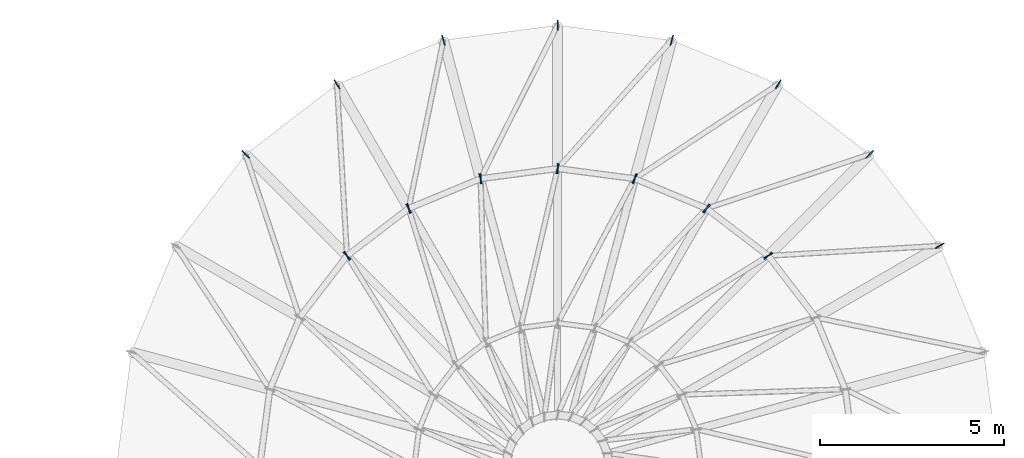
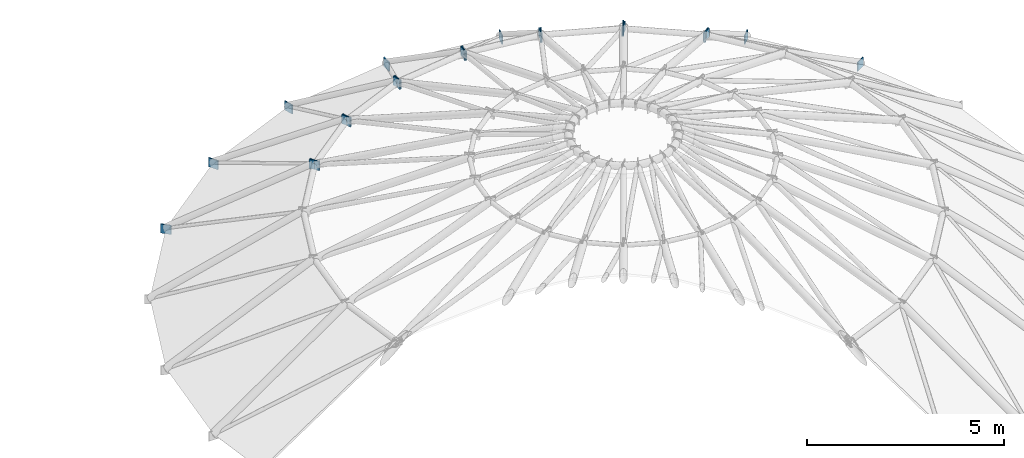
# One storey, part 28 of 32: 22 discrete accessories.
"""IFC4 building model written with IfcOpenShell, lengths in metres."""

import ifcopenshell
import ifcopenshell.guid

model = None  # the IFC model being written
_history = None  # IfcOwnerHistory: only IFC2X3 demands one
_inside = {}  # id of a spatial element -> (the spatial element, [elements in it])
_under = {}  # id of a project, library or spatial element -> (it, [spatial elements below it])
_declared = {}  # id of a project -> (the project, [libraries it declares])
_typed = {}  # id of a type object -> (the type object, [elements of that type])
_made_of = {}  # id of a material, layer set ... -> (it, [elements and type objects made of it])


def new_model(schema):
    """Start an empty IFC model of exactly this schema.

    Asked for "IFC4X3", IfcOpenShell would pick the latest addendum, in which some entities
    have other attributes; the version numbers below select the first issue.
    IFC2X3 requires an IfcOwnerHistory on every rooted entity: one is made here for all.
    """
    global model, _history
    if schema == "IFC4X3":
        model = ifcopenshell.file(schema_version=(4, 3, 0, 0))
    else:
        model = ifcopenshell.file(schema=schema)
    _inside.clear()
    _under.clear()
    _declared.clear()
    _typed.clear()
    _made_of.clear()
    _history = None
    if model.schema == "IFC2X3":
        org = make("IfcOrganization", Name="unknown")
        user = make(
            "IfcPersonAndOrganization",
            ThePerson=make("IfcPerson", FamilyName="unknown"),
            TheOrganization=org,
        )
        app = make(
            "IfcApplication",
            ApplicationDeveloper=org,
            Version="unknown",
            ApplicationFullName="unknown",
            ApplicationIdentifier="unknown",
        )
        _history = make(
            "IfcOwnerHistory",
            OwningUser=user,
            OwningApplication=app,
            ChangeAction="ADDED",
            CreationDate=0,
        )
    return model


def make(cls, **values):
    """One entity of the class cls with the attributes given. An attribute that is None is left unset."""
    return model.create_entity(
        cls, **{name: value for name, value in values.items() if value is not None}
    )


def rooted(cls, **values):
    """An entity with a GlobalId (a new one), such as an element, a storey or a relation."""
    return make(cls, GlobalId=ifcopenshell.guid.new(), OwnerHistory=_history, **values)


def si_unit(unit_type, name, prefix=None):
    """IfcSIUnit, for example si_unit("LENGTHUNIT", "METRE", prefix="MILLI")."""
    return make("IfcSIUnit", UnitType=unit_type, Prefix=prefix, Name=name)


def assignment(units):
    """IfcUnitAssignment: the units of a project."""
    return None if units is None else make("IfcUnitAssignment", Units=units)


def point(xyz):
    """IfcCartesianPoint."""
    return None if xyz is None else make("IfcCartesianPoint", Coordinates=xyz)


def direction(xyz):
    """IfcDirection."""
    return None if xyz is None else make("IfcDirection", DirectionRatios=xyz)


def frame(location, z_axis=None, x_axis=None):
    """IfcAxis2Placement3D, a coordinate frame: its origin and axes. An axis left out is left unset."""
    return make(
        "IfcAxis2Placement3D",
        Location=point(location),
        Axis=direction(z_axis),
        RefDirection=direction(x_axis),
    )


def frame_2d(location, x_axis=None):
    """IfcAxis2Placement2D, a coordinate frame in the plane: its origin and x axis."""
    return make(
        "IfcAxis2Placement2D", Location=point(location), RefDirection=direction(x_axis)
    )


def origin():
    """The frame at (0, 0, 0) with its axes left unset."""
    return frame((0.0, 0.0, 0.0))


def origin_2d():
    """The frame at (0, 0) in the plane with its x axis left unset."""
    return frame_2d((0.0, 0.0))


def place(relative_to, where):
    """IfcLocalPlacement: puts the frame where relative to a parent placement (None: the world)."""
    return make(
        "IfcLocalPlacement", PlacementRelTo=relative_to, RelativePlacement=where
    )


def context(
    kind, dimensions, precision=None, world=None, true_north=None, identifier=None
):
    """IfcGeometricRepresentationContext, for example the 3D "Model" context."""
    return make(
        "IfcGeometricRepresentationContext",
        ContextIdentifier=identifier,
        ContextType=kind,
        CoordinateSpaceDimension=dimensions,
        Precision=precision,
        WorldCoordinateSystem=world,
        TrueNorth=true_north,
    )


def subcontext(parent, identifier, kind, view, scale=None):
    """IfcGeometricRepresentationSubContext, for example "Body" below "Model"."""
    return make(
        "IfcGeometricRepresentationSubContext",
        ContextIdentifier=identifier,
        ContextType=kind,
        ParentContext=parent,
        TargetScale=scale,
        TargetView=view,
    )


def project(units=None, contexts=None):
    """IfcProject with its units and contexts."""
    return rooted(
        "IfcProject",
        Name="project",
        RepresentationContexts=contexts,
        UnitsInContext=assignment(units),
    )


def spatial(cls, under=None, at=None, **own):
    """A site, building, storey or space (cls), placed at a placement, below another one or the project."""
    s = rooted(cls, ObjectPlacement=at, **own)
    if under is not None:
        _under.setdefault(under.id(), (under, []))[1].append(s)
    return s


def profile(cls, at=None, kind="AREA", **sizes):
    """A parametric profile (cls). Its sizes go by their IFC names, for example OverallWidth=200.0."""
    return make(cls, ProfileType=kind, Position=at, **sizes)


def rectangle(**sizes):
    """IfcRectangleProfileDef."""
    return profile("IfcRectangleProfileDef", **sizes)


def extrude(swept, where, along, depth):
    """IfcExtrudedAreaSolid: the profile swept, set in the frame where, extruded along a direction by depth."""
    return make(
        "IfcExtrudedAreaSolid",
        SweptArea=swept,
        Position=where,
        ExtrudedDirection=direction(along),
        Depth=depth,
    )


def shape(context_of_items, identifier, shape_type, items):
    """IfcShapeRepresentation: the items that make up one representation, for example the "Body"."""
    return make(
        "IfcShapeRepresentation",
        ContextOfItems=context_of_items,
        RepresentationIdentifier=identifier,
        RepresentationType=shape_type,
        Items=items,
    )


def material(Name=None, Category=None):
    """IfcMaterial."""
    return make("IfcMaterial", Name=Name, Category=Category)


def made_of(thing, what):
    """Note that an element or type object is made of a material, layer set ...; save() writes the relation."""
    if what is not None:
        _made_of.setdefault(what.id(), (what, []))[1].append(thing)
    return thing


def type_object(cls, material=None, **own):
    """A type object (cls), such as IfcWallType, which elements share."""
    return made_of(rooted(cls, **own), material)


def element(
    cls,
    number,
    at=None,
    inside=None,
    cuts=None,
    type_object=None,
    material=None,
    context=None,
    identifier="Body",
    shape_type=None,
    held_by="IfcProductDefinitionShape",
    body=None,
    shapes=None,
    **own,
):
    """One element of the class cls, such as IfcWall. Its Tag is "e" and its number.

    at: its placement. inside: the storey or other place that contains it. cuts: it is an
    opening in that element (IfcRelVoidsElement). A single representation is given by context,
    identifier, shape_type and body (its items); several are given by shapes. held_by: the class
    of the entity that holds the representations. save() writes the other relations.
    """
    e = rooted(cls, Tag="e%d" % number, ObjectPlacement=at, **own)
    if body is not None:
        shapes = [shape(context, identifier, shape_type, body)]
    if shapes is not None:
        e.Representation = make(held_by, Representations=shapes)
    if inside is not None:
        _inside.setdefault(inside.id(), (inside, []))[1].append(e)
    if cuts is not None:
        rooted(
            "IfcRelVoidsElement", RelatingBuildingElement=cuts, RelatedOpeningElement=e
        )
    if type_object is not None:
        _typed.setdefault(type_object.id(), (type_object, []))[1].append(e)
    return made_of(e, material)


def aggregate(whole, parts):
    """IfcRelAggregates: a whole, such as a stair, and the parts it consists of."""
    return rooted("IfcRelAggregates", RelatingObject=whole, RelatedObjects=parts)


def save(model, path):
    """Write the relations noted so far, then the file.

    IfcRelAggregates (storeys below a building ...), IfcRelContainedInSpatialStructure (elements
    in a storey), IfcRelDefinesByType, IfcRelAssociatesMaterial and IfcRelDeclares: one each for
    every whole, place, type object, material and project.
    """
    for whole, parts in _under.values():
        aggregate(whole, parts)
    for where, things in _inside.values():
        rooted(
            "IfcRelContainedInSpatialStructure",
            RelatedElements=things,
            RelatingStructure=where,
        )
    for kind, things in _typed.values():
        rooted("IfcRelDefinesByType", RelatedObjects=things, RelatingType=kind)
    for what, things in _made_of.values():
        rooted("IfcRelAssociatesMaterial", RelatedObjects=things, RelatingMaterial=what)
    for by, libraries in _declared.values():
        rooted("IfcRelDeclares", RelatingContext=by, RelatedDefinitions=libraries)
    model.write(path)


model = new_model("IFC4")

# Units and contexts
model_context = context("Model", 3, precision=1e-05, world=origin(), true_north=direction((0.0, 1.0)))
body_context = subcontext(model_context, "Body", "Model", "MODEL_VIEW")
ifc_project = project(units=[si_unit("LENGTHUNIT", "METRE"), si_unit("AREAUNIT", "SQUARE_METRE"), si_unit("VOLUMEUNIT", "CUBIC_METRE"), si_unit("PLANEANGLEUNIT", "RADIAN"), si_unit("MASSUNIT", "GRAM", prefix="KILO")], contexts=[model_context])

# Site, building, storey
site_placement = place(None, origin())
site = spatial("IfcSite", under=ifc_project, at=site_placement, CompositionType="ELEMENT")
building_placement = place(site_placement, origin())
building = spatial("IfcBuilding", under=site, at=building_placement, Name="Kandorven Conservatory and Botanical Research Centre", CompositionType="ELEMENT")
storey_placement = place(building_placement, frame((0.0, 0.0, 17.10009765625)))
storey = spatial("IfcBuildingStorey", under=building, at=storey_placement, Name="L04", CompositionType="ELEMENT", Elevation=17.10009765625)

# Discrete accessories
ifc_material = material(Name="Steel S355 (IS 2062 E350)", Category="steel")
discrete_accessory_type = type_object("IfcDiscreteAccessoryType", Name="BraceGussetPlate", PredefinedType="BRACKET", material=ifc_material)
for number, where, z_axis, x_axis, name in (
    (1, (97.9921875, 53.800048828125, 0.4599609375), (0.0, 0.0, 1.0), (0.866025403784, 0.5, 0.0), "Conservatory dome node gusset plate T3-S03-A"),
    (2, (93.32763671875, 53.527587890625, 3.15966796875), (0.0, 0.0, 1.0), (0.866025403784, 0.5, 0.0), "Conservatory dome node gusset plate T3-S03-B"),
    (3, (96.085205078125, 56.285400390625, 0.4599609375), (0.0, 0.0, 1.0), (0.707106781187, 0.707106781187, 0.0), "Conservatory dome node gusset plate T3-S04-A"),
    (4, (91.64990234375, 54.814697265625, 3.15966796875), (0.0, 0.0, 1.0), (0.707106781187, 0.707106781187, 0.0), "Conservatory dome node gusset plate T3-S04-B"),
    (5, (93.60009765625, 58.1923828125, 0.4599609375), (0.0, 0.0, 1.0), (0.5, 0.866025403784, 0.0), "Conservatory dome node gusset plate T3-S05-A"),
    (6, (89.6962890625, 55.6240234375, 3.15966796875), (0.0, 0.0, 1.0), (0.5, 0.866025403784, 0.0), "Conservatory dome node gusset plate T3-S05-B"),
    (7, (90.705810546875, 59.39111328125, 0.4599609375), (0.0, 0.0, 1.0), (0.258819045103, 0.965925826289, 0.0), "Conservatory dome node gusset plate T3-S06-A"),
    (8, (87.60009765625, 55.89990234375, 3.15966796875), (0.0, 0.0, 1.0), (0.258819045103, 0.965925826289, 0.0), "Conservatory dome node gusset plate T3-S06-B"),
    (9, (87.60009765625, 59.800048828125, 0.4599609375), (0.0, 0.0, 1.0), (0.0, 1.0, 0.0), "Conservatory dome node gusset plate T3-S07-A"),
    (10, (85.503662109375, 55.6240234375, 3.15966796875), (0.0, 0.0, 1.0), (0.0, 1.0, 0.0), "Conservatory dome node gusset plate T3-S07-B"),
    (11, (84.494140625, 59.39111328125, 0.4599609375), (0.0, 0.0, 1.0), (-0.258819045103, 0.965925826289, 0.0), "Conservatory dome node gusset plate T3-S08-A"),
    (12, (83.550048828125, 54.814697265625, 3.15966796875), (0.0, 0.0, 1.0), (-0.258819045103, 0.965925826289, 0.0), "Conservatory dome node gusset plate T3-S08-B"),
    (13, (81.60009765625, 58.1923828125, 0.4599609375), (0.0, 0.0, 1.0), (-0.5, 0.866025403784, 0.0), "Conservatory dome node gusset plate T3-S09-A"),
    (14, (81.872314453125, 53.527587890625, 3.15966796875), (0.0, 0.0, 1.0), (-0.5, 0.866025403784, 0.0), "Conservatory dome node gusset plate T3-S09-B"),
    (15, (79.11474609375, 56.285400390625, 0.4599609375), (0.0, 0.0, 1.0), (-0.707106781187, 0.707106781187, 0.0), "Conservatory dome node gusset plate T3-S10-A"),
    (16, (93.32763671875, 53.527587890625, 3.15966796875), (0.0, 0.0, 1.0), (0.707106781187, 0.707106781187, 0.0), "Conservatory dome node gusset plate T4-S04-A"),
    (17, (91.64990234375, 54.814697265625, 3.15966796875), (0.0, 0.0, 1.0), (0.5, 0.866025403784, 0.0), "Conservatory dome node gusset plate T4-S05-A"),
    (18, (89.6962890625, 55.6240234375, 3.15966796875), (0.0, 0.0, 1.0), (0.258819045103, 0.965925826289, 0.0), "Conservatory dome node gusset plate T4-S06-A"),
    (19, (87.60009765625, 55.89990234375, 3.15966796875), (0.0, 0.0, 1.0), (0.0, 1.0, 0.0), "Conservatory dome node gusset plate T4-S07-A"),
    (20, (85.503662109375, 55.6240234375, 3.15966796875), (0.0, 0.0, 1.0), (-0.258819045103, 0.965925826289, 0.0), "Conservatory dome node gusset plate T4-S08-A"),
    (21, (83.550048828125, 54.814697265625, 3.15966796875), (0.0, 0.0, 1.0), (-0.5, 0.866025403784, 0.0), "Conservatory dome node gusset plate T4-S09-A"),
    (22, (81.872314453125, 53.527587890625, 3.15966796875), (0.0, 0.0, 1.0), (-0.707106781187, 0.707106781187, 0.0), "Conservatory dome node gusset plate T4-S10-A"),
):
    element("IfcDiscreteAccessory", number, at=place(storey_placement, frame(where, z_axis=z_axis, x_axis=x_axis)), inside=storey, type_object=discrete_accessory_type, Name=name, PredefinedType="BRACKET", context=body_context, shape_type="SweptSolid", body=[
        extrude(rectangle(XDim=0.280029296875, YDim=0.028076171875, at=origin_2d()), origin(), (0.0, 0.0, 1.0), 0.280029296875),
    ])

save(model, "model.ifc")
